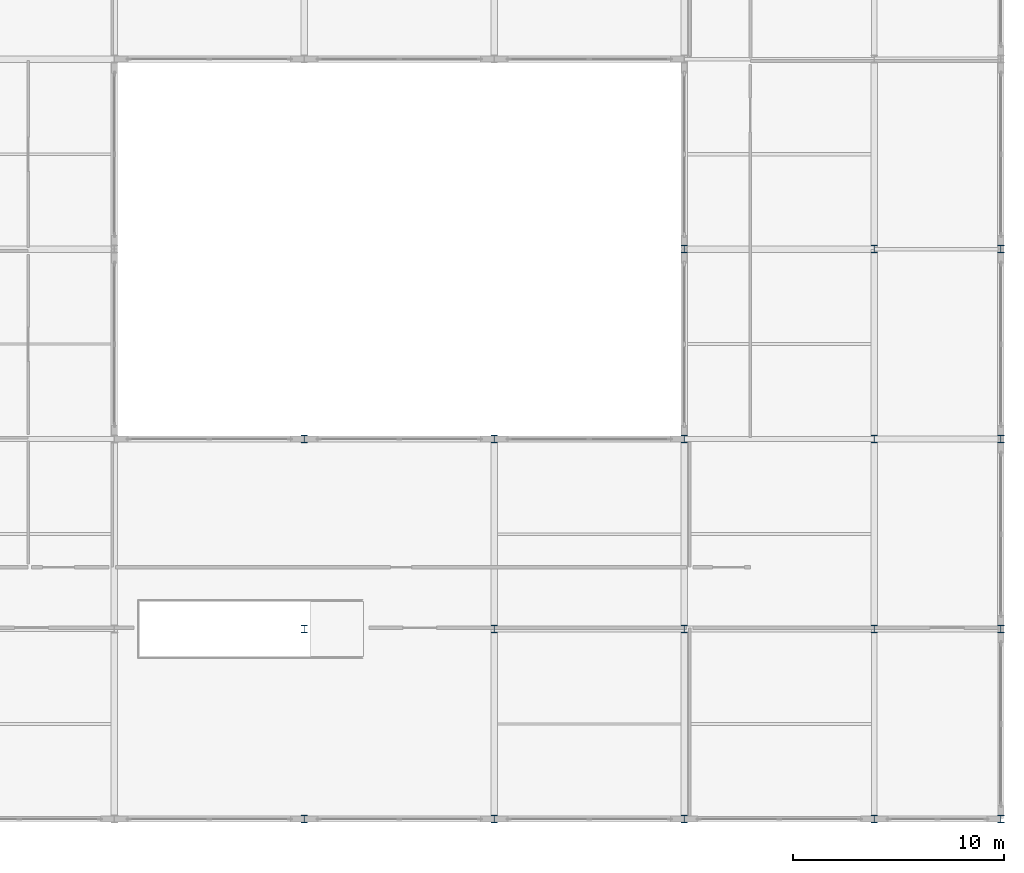
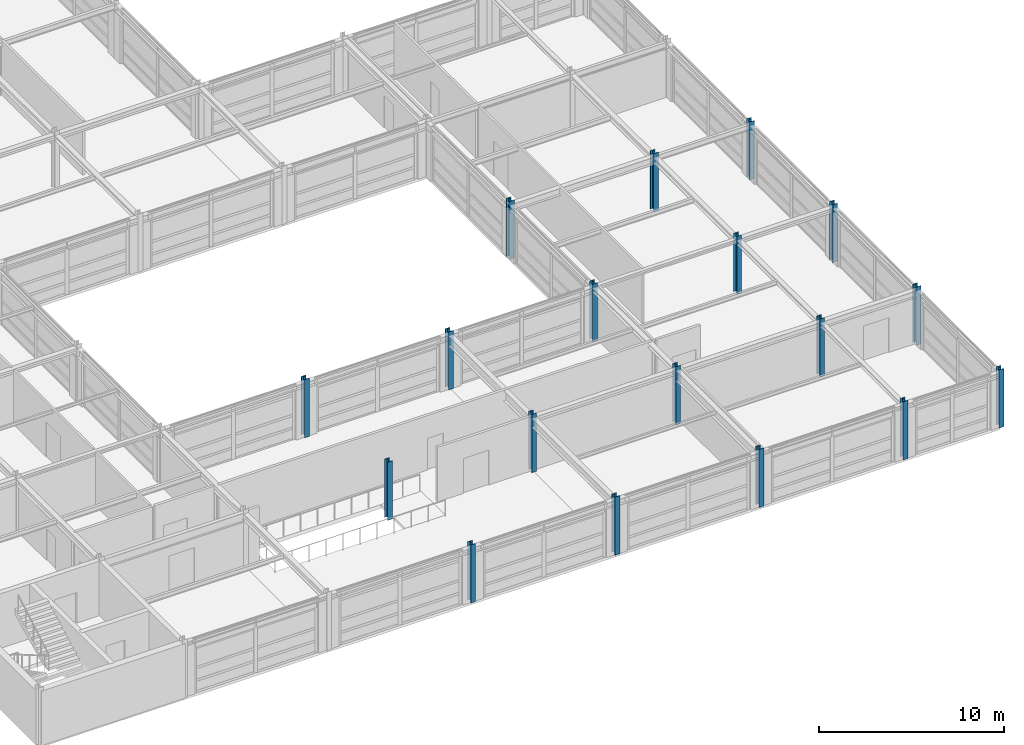
# One storey, part 15 of 79: 18 columns.
"""IFC4 building model written with IfcOpenShell, lengths in metres."""

from ifc_helpers import new_model, si_unit, direction, frame, origin, origin_2d, place, context, subcontext, project, spatial, i_section, extrude, material, material_profile, profile_set, type_object, element, save


model = new_model("IFC4")

# Units and contexts
model_context = context("Model", 3, precision=1e-05, world=origin(), true_north=direction((0.0, 1.0)))
body_context = subcontext(model_context, "Body", "Model", "MODEL_VIEW")
ifc_project = project(units=[si_unit("LENGTHUNIT", "METRE"), si_unit("AREAUNIT", "SQUARE_METRE"), si_unit("VOLUMEUNIT", "CUBIC_METRE"), si_unit("PLANEANGLEUNIT", "RADIAN"), si_unit("MASSUNIT", "GRAM", prefix="KILO")], contexts=[model_context])

# Site, building, storey
site_placement = place(None, origin())
site = spatial("IfcSite", under=ifc_project, at=site_placement, CompositionType="ELEMENT")
building_placement = place(site_placement, origin())
building = spatial("IfcBuilding", under=site, at=building_placement, Name="Palais des Congres Ocreval", CompositionType="ELEMENT")
storey_placement = place(building_placement, frame((0.0, 0.0, 4.320068359375)))
storey = spatial("IfcBuildingStorey", under=building, at=storey_placement, Name="L01", CompositionType="ELEMENT", Elevation=4.320068359375)

# Columns
ifc_material = material(Name="Steel S355", Category="steel")
ifc_material_profile = material_profile(ifc_material, i_section(OverallWidth=0.300048828125, OverallDepth=0.360107421875, WebThickness=0.012451171875, FlangeThickness=0.0224609375, at=origin_2d()), Name="HEB 360")
ifc_profile_set = profile_set([ifc_material_profile], Name="Steel S355")
column_type = type_object("IfcColumnType", Name="Column HEB 360 Steel S355", PredefinedType="COLUMN", material=ifc_profile_set)
for number, where, z_axis, x_axis, name in (
    (1, (135.0, 0.0, 0.0), (0.0, 0.0, 1.0), (1.0, 0.0, 0.0), "Column C11 L01"),
    (2, (135.0, 9.0, 0.0), (0.0, 0.0, 1.0), (1.0, 0.0, 0.0), "Column C11 L01"),
    (3, (135.0, 18.0, 0.0), (0.0, 0.0, 1.0), (1.0, 0.0, 0.0), "Column C11 L01"),
    (4, (144.0, 0.0, 0.0), (0.0, 0.0, 1.0), (1.0, 0.0, 0.0), "Column C11 L01"),
    (5, (144.0, 9.0, 0.0), (0.0, 0.0, 1.0), (1.0, 0.0, 0.0), "Column C11 L01"),
    (6, (144.0, 18.0, 0.0), (0.0, 0.0, 1.0), (1.0, 0.0, 0.0), "Column C11 L01"),
    (7, (153.0, 0.0, 0.0), (0.0, 0.0, 1.0), (1.0, 0.0, 0.0), "Column C11 L01"),
    (8, (153.0, 9.0, 0.0), (0.0, 0.0, 1.0), (1.0, 0.0, 0.0), "Column C11 L01"),
    (9, (153.0, 18.0, 0.0), (0.0, 0.0, 1.0), (1.0, 0.0, 0.0), "Column C11 L01"),
    (10, (153.0, 27.0, 0.0), (0.0, 0.0, 1.0), (1.0, 0.0, 0.0), "Column C11 L01"),
    (11, (162.0, 0.0, 0.0), (0.0, 0.0, 1.0), (1.0, 0.0, 0.0), "Column C11 L01"),
    (12, (162.0, 9.0, 0.0), (0.0, 0.0, 1.0), (1.0, 0.0, 0.0), "Column C11 L01"),
    (13, (162.0, 18.0, 0.0), (0.0, 0.0, 1.0), (1.0, 0.0, 0.0), "Column C11 L01"),
    (14, (162.0, 27.0, 0.0), (0.0, 0.0, 1.0), (1.0, 0.0, 0.0), "Column C11 L01"),
    (15, (168.0, 0.0, 0.0), (0.0, 0.0, 1.0), (1.0, 0.0, 0.0), "Column C11 L01"),
    (16, (168.0, 9.0, 0.0), (0.0, 0.0, 1.0), (1.0, 0.0, 0.0), "Column C11 L01"),
    (17, (168.0, 18.0, 0.0), (0.0, 0.0, 1.0), (1.0, 0.0, 0.0), "Column C11 L01"),
    (18, (168.0, 27.0, 0.0), (0.0, 0.0, 1.0), (1.0, 0.0, 0.0), "Column C11 L01"),
):
    element("IfcColumn", number, at=place(storey_placement, frame(where, z_axis=z_axis, x_axis=x_axis)), inside=storey, type_object=column_type, Name=name, PredefinedType="COLUMN", context=body_context, shape_type="SweptSolid", body=[
        extrude(i_section(OverallWidth=0.300048828125, OverallDepth=0.360107421875, WebThickness=0.012451171875, FlangeThickness=0.0224609375, at=origin_2d()), origin(), (0.0, 0.0, 1.0), 3.83984375),
    ])

save(model, "model.ifc")
